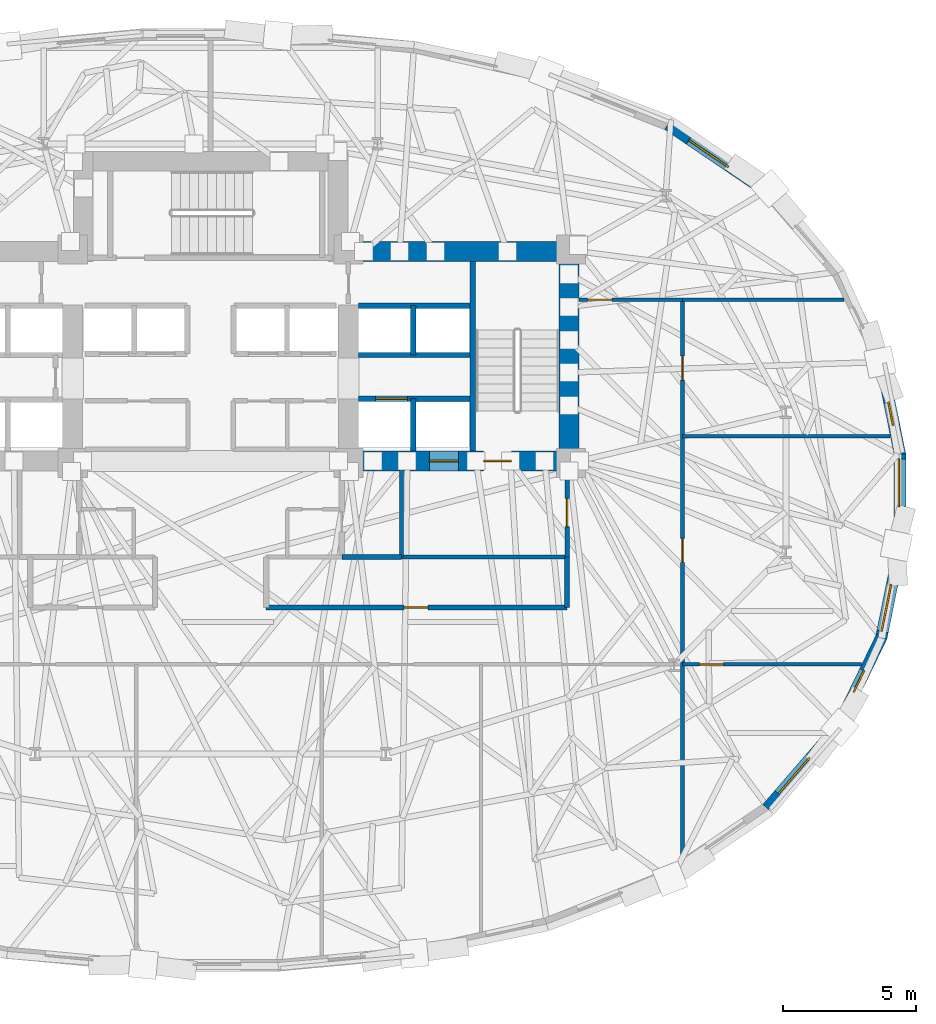
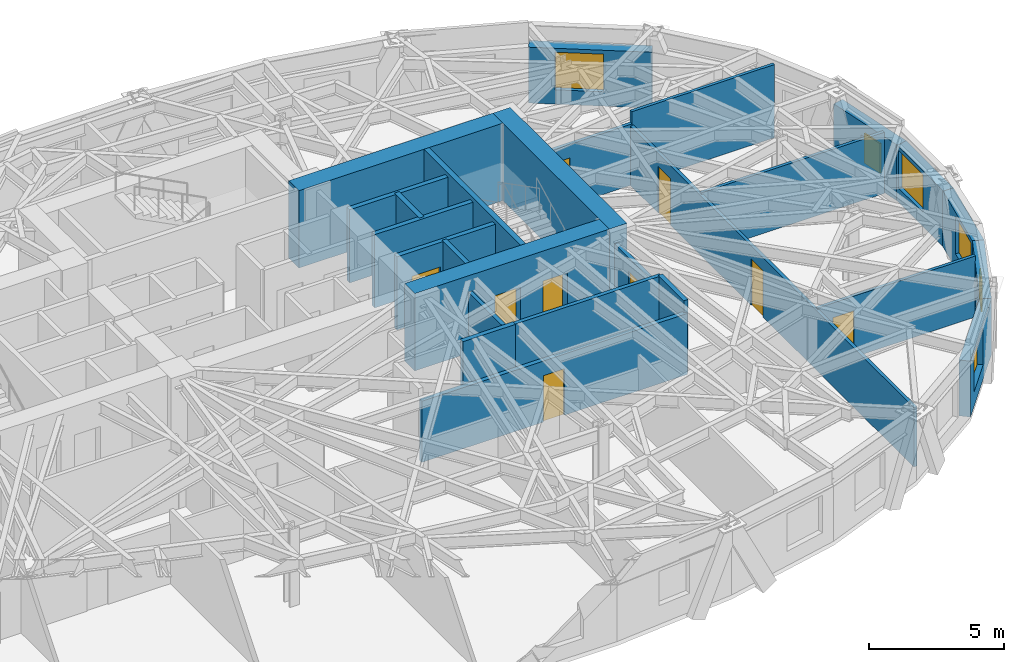
# One storey, part 9 of 14: 26 walls, 9 doors, 6 windows, 15 openings.
"""IFC4 building model written with IfcOpenShell, lengths in metres."""

from ifc_helpers import new_model, si_unit, direction, frame, frame_2d, origin, place, context, subcontext, project, spatial, rectangle, extrude, material, layer, layer_set, type_object, element, fill, save


model = new_model("IFC4")

# Units and contexts
model_context = context("Model", 3, precision=1e-05, world=origin(), true_north=direction((0.0, 1.0)))
body_context = subcontext(model_context, "Body", "Model", "MODEL_VIEW")
ifc_project = project(units=[si_unit("LENGTHUNIT", "METRE"), si_unit("AREAUNIT", "SQUARE_METRE"), si_unit("VOLUMEUNIT", "CUBIC_METRE"), si_unit("PLANEANGLEUNIT", "RADIAN"), si_unit("MASSUNIT", "GRAM", prefix="KILO")], contexts=[model_context])

# Site, building, storey
site_placement = place(None, origin())
site = spatial("IfcSite", under=ifc_project, at=site_placement, CompositionType="ELEMENT")
building_placement = place(site_placement, origin())
building = spatial("IfcBuilding", under=site, at=building_placement, Name="Keldmark Tower", CompositionType="ELEMENT")
storey_placement = place(building_placement, frame((0.0, 0.0, 121.10009765625)))
storey = spatial("IfcBuildingStorey", under=building, at=storey_placement, Name="L32", CompositionType="ELEMENT", Elevation=121.10009765625)

# Wall, openings, doors
ifc_material_1 = material(Name="Acoustic Double-Layer Gypsum Corridor Partition", Category="gypsum")
ifc_layer_1 = layer(ifc_material_1, 0.139892578125)
ifc_layer_set_1 = layer_set([ifc_layer_1], Name="Acoustic Double-Layer Gypsum Corridor Partition")
wall_type_1 = type_object("IfcWallType", Name="Acoustic Corridor Partition 140 mm", PredefinedType="PARTITIONING", material=ifc_layer_set_1)
wall_1_placement = place(storey_placement, frame((17.800048828125, -13.509521484375, 0.0), z_axis=(0.0, 0.0, 1.0), x_axis=(0.0, 1.0, 0.0)))
wall_1 = element("IfcWall", 1, at=wall_1_placement, inside=storey, type_object=wall_type_1, Name="L32 Acoustic Corridor Partition 140 mm COR-E", PredefinedType="PARTITIONING", context=body_context, shape_type="SweptSolid", body=[
    extrude(rectangle(XDim=21.0595703125, YDim=0.139892578125, at=frame_2d((10.52978515625, 0.0))), origin(), (0.0, 0.0, 1.0), 2.68798828125),
])
opening_1_placement = place(wall_1_placement, frame((11.159423828125, 0.0, 0.0)))
opening_1 = element("IfcOpeningElement", 2, at=opening_1_placement, cuts=wall_1, Name="Opening D-IN090", PredefinedType="OPENING", context=body_context, shape_type="SweptSolid", body=[
    extrude(rectangle(XDim=0.89990234375, YDim=2.10009765625, at=frame_2d((0.449951171875, 1.050048828125))), frame((0.0, 0.079833984375, 0.0), z_axis=(0.0, -1.0, 0.0), x_axis=(1.0, 0.0, 0.0)), (0.0, 0.0, 1.0), 0.159912109375),
])
opening_2_placement = place(wall_1_placement, frame((18.034423828125, 0.0, 0.0)))
opening_2 = element("IfcOpeningElement", 3, at=opening_2_placement, cuts=wall_1, Name="Opening D-IN090", PredefinedType="OPENING", context=body_context, shape_type="SweptSolid", body=[
    extrude(rectangle(XDim=0.89990234375, YDim=2.10009765625, at=frame_2d((0.449951171875, 1.050048828125))), frame((0.0, 0.079833984375, 0.0), z_axis=(0.0, -1.0, 0.0), x_axis=(1.0, 0.0, 0.0)), (0.0, 0.0, 1.0), 0.159912109375),
])
ifc_material_2 = material(Name="Stained American White Oak Veneer", Category="wood")
door_type_1 = type_object("IfcDoorType", Name="Interior Door 900x2100", OperationType="NOTDEFINED", PredefinedType="DOOR", material=ifc_material_2)
door_1_placement = place(opening_1_placement, origin())
door_1 = element("IfcDoor", 4, at=door_1_placement, inside=storey, type_object=door_type_1, Name="L32 Interior Door 900x2100 D-ER-1-L32", OperationType="SINGLE_SWING_RIGHT", OverallHeight=2.10009765625, OverallWidth=0.89990234375, PredefinedType="DOOR", context=body_context, shape_type="SweptSolid", body=[
    extrude(rectangle(XDim=0.89990234375, YDim=2.10009765625, at=frame_2d((0.449951171875, 1.050048828125))), frame((0.0, 0.02490234375, 0.0), z_axis=(0.0, -1.0, 0.0), x_axis=(1.0, 0.0, 0.0)), (0.0, 0.0, 1.0), 0.050048828125),
])
fill(opening_1, door_1)
door_2_placement = place(opening_2_placement, origin())
door_2 = element("IfcDoor", 5, at=door_2_placement, inside=storey, type_object=door_type_1, Name="L32 Interior Door 900x2100 D-ER-2-L32", OperationType="SINGLE_SWING_LEFT", OverallHeight=2.10009765625, OverallWidth=0.89990234375, PredefinedType="DOOR", context=body_context, shape_type="SweptSolid", body=[
    extrude(rectangle(XDim=0.89990234375, YDim=2.10009765625, at=frame_2d((0.449951171875, 1.050048828125))), frame((0.0, 0.02490234375, 0.0), z_axis=(0.0, -1.0, 0.0), x_axis=(1.0, 0.0, 0.0)), (0.0, 0.0, 1.0), 0.050048828125),
])
fill(opening_2, door_2)

# Wall, opening, door
wall_2_placement = place(storey_placement, frame((13.89990234375, 7.550048828125, 0.0), z_axis=(0.0, 0.0, 1.0), x_axis=(1.0, 0.0, 0.0)))
wall_2 = element("IfcWall", 6, at=wall_2_placement, inside=storey, type_object=wall_type_1, Name="L32 Acoustic Corridor Partition 140 mm COR-EN-CAP", PredefinedType="PARTITIONING", context=body_context, shape_type="SweptSolid", body=[
    extrude(rectangle(XDim=3.900146484375, YDim=0.139892578125, at=frame_2d((1.9501953125, 0.0))), origin(), (0.0, 0.0, 1.0), 2.762939453125),
])
opening_3_placement = place(wall_2_placement, frame((0.320068359375, 0.0, 0.0)))
opening_3 = element("IfcOpeningElement", 7, at=opening_3_placement, cuts=wall_2, Name="Opening D-EX092", PredefinedType="OPENING", context=body_context, shape_type="SweptSolid", body=[
    extrude(rectangle(XDim=0.919921875, YDim=2.14990234375, at=frame_2d((0.4599609375, 1.074951171875))), frame((0.0, 0.079833984375, 0.0), z_axis=(0.0, -1.0, 0.0), x_axis=(1.0, 0.0, 0.0)), (0.0, 0.0, 1.0), 0.159912109375),
])
ifc_material_3 = material(Name="Flush American Ash Executive Office Door", Category="wood")
door_type_2 = type_object("IfcDoorType", Name="Executive Office Door 920x2150", OperationType="NOTDEFINED", PredefinedType="DOOR", material=ifc_material_3)
door_3_placement = place(opening_3_placement, origin())
door_3 = element("IfcDoor", 8, at=door_3_placement, inside=storey, type_object=door_type_2, Name="L32 Executive Office Door 920x2150 D-NRNE-L32", OperationType="SINGLE_SWING_RIGHT", OverallHeight=2.14990234375, OverallWidth=0.919921875, PredefinedType="DOOR", context=body_context, shape_type="SweptSolid", body=[
    extrude(rectangle(XDim=0.919921875, YDim=2.14990234375, at=frame_2d((0.4599609375, 1.074951171875))), frame((0.0, 0.02490234375, 0.0), z_axis=(0.0, -1.0, 0.0), x_axis=(1.0, 0.0, 0.0)), (0.0, 0.0, 1.0), 0.050048828125),
])
fill(opening_3, door_3)

ifc_material_4 = material(Name="Heavy Acoustic Plumbing Chase Gypsum Assembly", Category="gypsum")
ifc_layer_2 = layer(ifc_material_4, 0.18994140625)
ifc_layer_set_2 = layer_set([ifc_layer_2], Name="Heavy Acoustic Plumbing Chase Gypsum Assembly")
wall_type_2 = type_object("IfcWallType", Name="Heavy Wet Wall 190 mm", PredefinedType="PLUMBINGWALL", material=ifc_layer_set_2)
wall_3_placement = place(storey_placement, frame((2.10009765625, -4.050048828125, 0.0), z_axis=(0.0, 0.0, 1.0), x_axis=(1.0, 0.0, 0.0)))
wall_3 = element("IfcWall", 9, at=wall_3_placement, inside=storey, type_object=wall_type_2, Name="L32 Heavy Wet Wall 190 mm SPK-E-S", PredefinedType="PLUMBINGWALL", context=body_context, shape_type="SweptSolid", body=[
    extrude(rectangle(XDim=11.349853515625, YDim=0.18994140625, at=frame_2d((5.6748046875, 0.0))), origin(), (0.0, 0.0, 1.0), 2.762939453125),
])
opening_4_placement = place(wall_3_placement, frame((5.199951171875, 0.0, 0.0)))
opening_4 = element("IfcOpeningElement", 10, at=opening_4_placement, cuts=wall_3, Name="Opening D-IN090", PredefinedType="OPENING", context=body_context, shape_type="SweptSolid", body=[
    extrude(rectangle(XDim=0.89990234375, YDim=2.10009765625, at=frame_2d((0.449951171875, 1.050048828125))), frame((0.0, 0.10498046875, 0.0), z_axis=(0.0, -1.0, 0.0), x_axis=(1.0, 0.0, 0.0)), (0.0, 0.0, 1.0), 0.2099609375),
])
door_4_placement = place(opening_4_placement, origin())
door_4 = element("IfcDoor", 11, at=door_4_placement, inside=storey, type_object=door_type_1, Name="L32 Interior Door 900x2100 D-SPKE1-L32", OperationType="SINGLE_SWING_RIGHT", OverallHeight=2.10009765625, OverallWidth=0.89990234375, PredefinedType="DOOR", context=body_context, shape_type="SweptSolid", body=[
    extrude(rectangle(XDim=0.89990234375, YDim=2.10009765625, at=frame_2d((0.449951171875, 1.050048828125))), frame((0.0, 0.02490234375, 0.0), z_axis=(0.0, -1.0, 0.0), x_axis=(1.0, 0.0, 0.0)), (0.0, 0.0, 1.0), 0.050048828125),
])
fill(opening_4, door_4)

# Walls
wall_4_placement = place(storey_placement, frame((13.449951171875, -4.050048828125, 0.0), z_axis=(0.0, 0.0, 1.0), x_axis=(0.0, 1.0, 0.0)))
element("IfcWall", 12, at=wall_4_placement, inside=storey, type_object=wall_type_2, Name="L32 Heavy Wet Wall 190 mm SPK-E-E", PredefinedType="PLUMBINGWALL", context=body_context, shape_type="SweptSolid", body=[
    extrude(rectangle(XDim=1.900146484375, YDim=0.18994140625, at=frame_2d((0.9501953125, 0.0))), origin(), (0.0, 0.0, 1.0), 3.309814453125),
])
ifc_material_5 = material(Name="Acoustic Gypsum Board Interior Partition", Category="gypsum")
ifc_layer_3 = layer(ifc_material_5, 0.1298828125)
ifc_layer_set_3 = layer_set([ifc_layer_3], Name="Acoustic Gypsum Board Interior Partition")
wall_type_3 = type_object("IfcWallType", Name="Interior Partition 130 mm", PredefinedType="PARTITIONING", material=ifc_layer_set_3)
wall_5_placement = place(storey_placement, frame((17.800048828125, 7.550048828125, 0.0), z_axis=(0.0, 0.0, 1.0), x_axis=(1.0, 0.0, 0.0)))
element("IfcWall", 13, at=wall_5_placement, inside=storey, type_object=wall_type_3, Name="L32 Interior Partition 130 mm E-CAP-N", PredefinedType="PARTITIONING", context=body_context, shape_type="SweptSolid", body=[
    extrude(rectangle(XDim=6.099853515625, YDim=0.1298828125, at=frame_2d((3.0498046875, 0.0))), origin(), (0.0, 0.0, 1.0), 3.309814453125),
])

# Wall, opening, door
wall_6_placement = place(storey_placement, frame((17.800048828125, -6.199951171875, 0.0), z_axis=(0.0, 0.0, 1.0), x_axis=(1.0, 0.0, 0.0)))
wall_6 = element("IfcWall", 14, at=wall_6_placement, inside=storey, type_object=wall_type_3, Name="L32 Interior Partition 130 mm E-CAP-S", PredefinedType="PARTITIONING", context=body_context, shape_type="SweptSolid", body=[
    extrude(rectangle(XDim=6.75439453125, YDim=0.1298828125, at=frame_2d((3.377197265625, 0.0))), origin(), (0.0, 0.0, 1.0), 2.762939453125),
])
opening_5_placement = place(wall_6_placement, frame((0.64990234375, 0.0, 0.0)))
opening_5 = element("IfcOpeningElement", 15, at=opening_5_placement, cuts=wall_6, Name="Opening D-IN090", PredefinedType="OPENING", context=body_context, shape_type="SweptSolid", body=[
    extrude(rectangle(XDim=0.89990234375, YDim=2.10009765625, at=frame_2d((0.449951171875, 1.050048828125))), frame((0.0, 0.074951171875, 0.0), z_axis=(0.0, -1.0, 0.0), x_axis=(1.0, 0.0, 0.0)), (0.0, 0.0, 1.0), 0.14990234375),
])
door_5_placement = place(opening_5_placement, origin())
door_5 = element("IfcDoor", 16, at=door_5_placement, inside=storey, type_object=door_type_1, Name="L32 Interior Door 900x2100 D-ERSE-L32", OperationType="SINGLE_SWING_RIGHT", OverallHeight=2.10009765625, OverallWidth=0.89990234375, PredefinedType="DOOR", context=body_context, shape_type="SweptSolid", body=[
    extrude(rectangle(XDim=0.89990234375, YDim=2.10009765625, at=frame_2d((0.449951171875, 1.050048828125))), frame((0.0, 0.02490234375, 0.0), z_axis=(0.0, -1.0, 0.0), x_axis=(1.0, 0.0, 0.0)), (0.0, 0.0, 1.0), 0.050048828125),
])
fill(opening_5, door_5)

# Walls
wall_7_placement = place(storey_placement, frame((17.800048828125, 2.39990234375, 0.0), z_axis=(0.0, 0.0, 1.0), x_axis=(1.0, 0.0, 0.0)))
element("IfcWall", 17, at=wall_7_placement, inside=storey, type_object=wall_type_3, Name="L32 Interior Partition 130 mm E-DIV-1", PredefinedType="PARTITIONING", context=body_context, shape_type="SweptSolid", body=[
    extrude(rectangle(XDim=7.834716796875, YDim=0.1298828125, at=frame_2d((3.91748046875, 0.0))), origin(), (0.0, 0.0, 1.0), 2.762939453125),
])
ifc_material_6 = material(Name="Concrete C70/85", Category="concrete")
ifc_layer_4 = layer(ifc_material_6, 0.75)
ifc_layer_set_4 = layer_set([ifc_layer_4], Name="Concrete C70/85")
wall_type_4 = type_object("IfcWallType", Name="Low-Mid Core Shear Wall 750 mm", PredefinedType="SHEAR", material=ifc_layer_set_4)
wall_8_placement = place(storey_placement, frame((13.52490234375, 1.10009765625, 0.0), z_axis=(0.0, 0.0, 1.0), x_axis=(0.0, 1.0, 0.0)))
element("IfcWall", 18, at=wall_8_placement, inside=storey, type_object=wall_type_4, Name="L32 East Core Outer Shear Wall", PredefinedType="SHEAR", context=body_context, shape_type="SweptSolid", body=[
    extrude(rectangle(XDim=8.64990234375, YDim=0.75, at=frame_2d((4.324951171875, 0.0))), origin(), (0.0, 0.0, 1.0), 3.5),
])
wall_9_placement = place(storey_placement, frame((4.425048828125, 9.375, 0.0), z_axis=(0.0, 0.0, 1.0), x_axis=(1.0, 0.0, 0.0)))
element("IfcWall", 19, at=wall_9_placement, inside=storey, type_object=wall_type_4, Name="L32 East Core North Shear Wall", PredefinedType="SHEAR", context=body_context, shape_type="SweptSolid", body=[
    extrude(rectangle(XDim=9.474853515625, YDim=0.75, at=frame_2d((4.7373046875, 0.0))), origin(), (0.0, 0.0, 1.0), 3.5),
])

# Wall, openings, doors
wall_10_placement = place(storey_placement, frame((13.89990234375, 1.47509765625, 0.0), z_axis=(0.0, 0.0, 1.0), x_axis=(-1.0, 0.0, 0.0)))
wall_10 = element("IfcWall", 20, at=wall_10_placement, inside=storey, type_object=wall_type_4, Name="L32 East Core South Shear Wall", PredefinedType="SHEAR", context=body_context, shape_type="SweptSolid", body=[
    extrude(rectangle(XDim=9.074951171875, YDim=0.75, at=frame_2d((4.53759765625, 0.0))), origin(), (0.0, 0.0, 1.0), 3.5),
])
opening_6_placement = place(wall_10_placement, frame((2.550048828125, 0.0, 0.0)))
opening_6 = element("IfcOpeningElement", 21, at=opening_6_placement, cuts=wall_10, Name="Opening D-ST105", PredefinedType="OPENING", context=body_context, shape_type="SweptSolid", body=[
    extrude(rectangle(XDim=1.050048828125, YDim=2.14990234375, at=frame_2d((0.52490234375, 1.074951171875))), frame((0.0, 0.385009765625, 0.0), z_axis=(0.0, -1.0, 0.0), x_axis=(1.0, 0.0, 0.0)), (0.0, 0.0, 1.0), 0.77001953125),
])
opening_7_placement = place(wall_10_placement, frame((4.550048828125, 0.0, 0.0)))
opening_7 = element("IfcOpeningElement", 22, at=opening_7_placement, cuts=wall_10, Name="Opening LD-110", PredefinedType="OPENING", context=body_context, shape_type="SweptSolid", body=[
    extrude(rectangle(XDim=1.10009765625, YDim=2.199951171875, at=frame_2d((0.550048828125, 1.10009765625))), frame((0.0, 0.385009765625, 0.0), z_axis=(0.0, -1.0, 0.0), x_axis=(1.0, 0.0, 0.0)), (0.0, 0.0, 1.0), 0.77001953125),
])
ifc_material_7 = material(Name="Brushed Bronze Hoistway Sliding Leaf", Category="metal")
door_type_3 = type_object("IfcDoorType", Name="Lift Landing Sliding Door 1100x2200", OperationType="SLIDING_TO_LEFT", PredefinedType="DOOR", material=ifc_material_7)
door_6_placement = place(opening_7_placement, origin())
door_6 = element("IfcDoor", 23, at=door_6_placement, inside=storey, type_object=door_type_3, Name="L32 Lift Landing Sliding Door 1100x2200 LD-EL-FS2-L32", OperationType="SLIDING_TO_LEFT", OverallHeight=2.199951171875, OverallWidth=1.10009765625, PredefinedType="DOOR", context=body_context, shape_type="SweptSolid", body=[
    extrude(rectangle(XDim=1.10009765625, YDim=2.199951171875, at=frame_2d((0.550048828125, 1.10009765625))), frame((0.0, 0.02490234375, 0.0), z_axis=(0.0, -1.0, 0.0), x_axis=(1.0, 0.0, 0.0)), (0.0, 0.0, 1.0), 0.050048828125),
])
fill(opening_7, door_6)
ifc_material_8 = material(Name="Hollow Metal Fire-Rated Door Assembly", Category="metal")
door_type_4 = type_object("IfcDoorType", Name="Stair Fire Door 1050x2150", OperationType="NOTDEFINED", PredefinedType="DOOR", material=ifc_material_8)
door_7_placement = place(opening_6_placement, origin())
door_7 = element("IfcDoor", 24, at=door_7_placement, inside=storey, type_object=door_type_4, Name="L32 Stair Fire Door 1050x2150 D-ST2-L32", OperationType="SINGLE_SWING_LEFT", OverallHeight=2.14990234375, OverallWidth=1.050048828125, PredefinedType="DOOR", context=body_context, shape_type="SweptSolid", body=[
    extrude(rectangle(XDim=1.050048828125, YDim=2.14990234375, at=frame_2d((0.52490234375, 1.074951171875))), frame((0.0, 0.02490234375, 0.0), z_axis=(0.0, -1.0, 0.0), x_axis=(1.0, 0.0, 0.0)), (0.0, 0.0, 1.0), 0.050048828125),
])
fill(opening_6, door_7)

# Walls
ifc_material_9 = material(Name="Type X Fire-Rated Gypsum Partition Assembly", Category="gypsum")
ifc_layer_5 = layer(ifc_material_9, 0.1650390625)
ifc_layer_set_5 = layer_set([ifc_layer_5], Name="Type X Fire-Rated Gypsum Partition Assembly")
wall_type_5 = type_object("IfcWallType", Name="Rated Partition 165 mm", PredefinedType="PARTITIONING", material=ifc_layer_set_5)
wall_11_placement = place(storey_placement, frame((7.199951171875, -2.14990234375, 0.0), z_axis=(0.0, 0.0, 1.0), x_axis=(1.0, 0.0, 0.0)))
element("IfcWall", 25, at=wall_11_placement, inside=storey, type_object=wall_type_5, Name="L32 Rated Partition 165 mm FSAE-E-S", PredefinedType="PARTITIONING", context=body_context, shape_type="SweptSolid", body=[
    extrude(rectangle(XDim=6.25, YDim=0.1650390625, at=frame_2d((3.125, 0.0))), origin(), (0.0, 0.0, 1.0), 3.309814453125),
])
wall_12_placement = place(storey_placement, frame((7.199951171875, -2.14990234375, 0.0), z_axis=(0.0, 0.0, 1.0), x_axis=(0.0, 1.0, 0.0)))
element("IfcWall", 26, at=wall_12_placement, inside=storey, type_object=wall_type_5, Name="L32 Rated Partition 165 mm FSAE-E-W", PredefinedType="PARTITIONING", context=body_context, shape_type="SweptSolid", body=[
    extrude(rectangle(XDim=3.2998046875, YDim=0.1650390625, at=frame_2d((1.64990234375, 0.0))), origin(), (0.0, 0.0, 1.0), 2.762939453125),
])

# Wall, opening, door
wall_13_placement = place(storey_placement, frame((13.449951171875, -2.14990234375, 0.0), z_axis=(0.0, 0.0, 1.0), x_axis=(0.0, 1.0, 0.0)))
wall_13 = element("IfcWall", 27, at=wall_13_placement, inside=storey, type_object=wall_type_5, Name="L32 Rated Partition 165 mm FSAE-E-E", PredefinedType="PARTITIONING", context=body_context, shape_type="SweptSolid", body=[
    extrude(rectangle(XDim=3.2998046875, YDim=0.1650390625, at=frame_2d((1.64990234375, 0.0))), origin(), (0.0, 0.0, 1.0), 2.762939453125),
])
opening_8_placement = place(wall_13_placement, frame((1.14990234375, 0.0, 0.0)))
opening_8 = element("IfcOpeningElement", 28, at=opening_8_placement, cuts=wall_13, Name="Opening D-FL105", PredefinedType="OPENING", context=body_context, shape_type="SweptSolid", body=[
    extrude(rectangle(XDim=1.050048828125, YDim=2.14990234375, at=frame_2d((0.52490234375, 1.074951171875))), frame((0.0, 0.092529296875, 0.0), z_axis=(0.0, -1.0, 0.0), x_axis=(1.0, 0.0, 0.0)), (0.0, 0.0, 1.0), 0.18505859375),
])
ifc_material_10 = material(Name="Fire-Rated Mineral-Core Door and Vision Lite", Category="metal")
door_type_5 = type_object("IfcDoorType", Name="Fire Lobby Door 1050x2150", OperationType="NOTDEFINED", PredefinedType="DOOR", material=ifc_material_10)
door_8_placement = place(opening_8_placement, origin())
door_8 = element("IfcDoor", 29, at=door_8_placement, inside=storey, type_object=door_type_5, Name="L32 Fire Lobby Door 1050x2150 D-FSAEE-OUT-L32", OperationType="SINGLE_SWING_LEFT", OverallHeight=2.14990234375, OverallWidth=1.050048828125, PredefinedType="DOOR", context=body_context, shape_type="SweptSolid", body=[
    extrude(rectangle(XDim=1.050048828125, YDim=2.14990234375, at=frame_2d((0.52490234375, 1.074951171875))), frame((0.0, 0.02490234375, 0.0), z_axis=(0.0, -1.0, 0.0), x_axis=(1.0, 0.0, 0.0)), (0.0, 0.0, 1.0), 0.050048828125),
])
fill(opening_8, door_8)

# Wall
ifc_material_11 = material(Name="Fire-Resistant Type X Gypsum Shaftliner Coreboard", Category="gypsum")
ifc_layer_6 = layer(ifc_material_11, 0.199951171875)
ifc_layer_set_6 = layer_set([ifc_layer_6], Name="Fire-Resistant Type X Gypsum Shaftliner Coreboard")
wall_type_6 = type_object("IfcWallType", Name="Shaft Wall 200 mm", PredefinedType="SOLIDWALL", material=ifc_layer_set_6)
wall_14_placement = place(storey_placement, frame((4.949951171875, -2.14990234375, 0.0), z_axis=(0.0, 0.0, 1.0), x_axis=(1.0, 0.0, 0.0)))
element("IfcWall", 30, at=wall_14_placement, inside=storey, type_object=wall_type_6, Name="L32 Shaft Wall 200 mm RIS-SE-S", PredefinedType="SOLIDWALL", context=body_context, shape_type="SweptSolid", body=[
    extrude(rectangle(XDim=2.25, YDim=0.199951171875, at=frame_2d((1.125, 0.0))), origin(), (0.0, 0.0, 1.0), 3.309814453125),
])

# Wall, opening, door
wall_15_placement = place(storey_placement, frame((5.574951171875, 3.820068359375, 0.0), z_axis=(0.0, 0.0, 1.0), x_axis=(1.0, 0.0, 0.0)))
wall_15 = element("IfcWall", 31, at=wall_15_placement, inside=storey, type_object=wall_type_6, Name="L32 Shaft Wall 200 mm HW-E-S", PredefinedType="SOLIDWALL", context=body_context, shape_type="SweptSolid", body=[
    extrude(rectangle(XDim=4.205078125, YDim=0.199951171875, at=frame_2d((2.1025390625, 0.0))), origin(), (0.0, 0.0, 1.0), 3.309814453125),
])
opening_9_placement = place(wall_15_placement, frame((0.64990234375, 0.0, 0.0)))
opening_9 = element("IfcOpeningElement", 32, at=opening_9_placement, cuts=wall_15, Name="Opening LD-120", PredefinedType="OPENING", context=body_context, shape_type="SweptSolid", body=[
    extrude(rectangle(XDim=1.199951171875, YDim=2.199951171875, at=frame_2d((0.60009765625, 1.10009765625))), frame((0.0, 0.10986328125, 0.0), z_axis=(0.0, -1.0, 0.0), x_axis=(1.0, 0.0, 0.0)), (0.0, 0.0, 1.0), 0.219970703125),
])
ifc_material_12 = material(Name="Heavy-Duty Brushed Metal Hoistway Sliding Leaf", Category="metal")
door_type_6 = type_object("IfcDoorType", Name="Service Lift Sliding Door 1200x2200", OperationType="SLIDING_TO_RIGHT", PredefinedType="DOOR", material=ifc_material_12)
door_9_placement = place(opening_9_placement, origin())
door_9 = element("IfcDoor", 33, at=door_9_placement, inside=storey, type_object=door_type_6, Name="L32 Service Lift Sliding Door 1200x2200 LD-EL-SV1-L32", OperationType="SLIDING_TO_RIGHT", OverallHeight=2.199951171875, OverallWidth=1.199951171875, PredefinedType="DOOR", context=body_context, shape_type="SweptSolid", body=[
    extrude(rectangle(XDim=1.199951171875, YDim=2.199951171875, at=frame_2d((0.60009765625, 1.10009765625))), frame((0.0, 0.02490234375, 0.0), z_axis=(0.0, -1.0, 0.0), x_axis=(1.0, 0.0, 0.0)), (0.0, 0.0, 1.0), 0.050048828125),
])
fill(opening_9, door_9)

# Walls
wall_16_placement = place(storey_placement, frame((7.64990234375, 1.85009765625, 0.0), z_axis=(0.0, 0.0, 1.0), x_axis=(0.0, 1.0, 0.0)))
element("IfcWall", 34, at=wall_16_placement, inside=storey, type_object=wall_type_6, Name="L32 Shaft Wall 200 mm HW-E-M", PredefinedType="SOLIDWALL", context=body_context, shape_type="SweptSolid", body=[
    extrude(rectangle(XDim=1.969970703125, YDim=0.199951171875, at=frame_2d((0.98486328125, 0.0))), origin(), (0.0, 0.0, 1.0), 3.309814453125),
])
for number, where, z_axis, x_axis, name in (
    (35, (5.574951171875, 5.469970703125, 0.0), (0.0, 0.0, 1.0), (1.0, 0.0, 0.0), "L32 Shaft Wall 200 mm HW-E-N"),
    (36, (5.574951171875, 7.330078125, 0.0), (0.0, 0.0, 1.0), (1.0, 0.0, 0.0), "L32 Shaft Wall 200 mm HW-E-TOP"),
):
    element("IfcWall", number, at=place(storey_placement, frame(where, z_axis=z_axis, x_axis=x_axis)), inside=storey, type_object=wall_type_6, Name=name, PredefinedType="SOLIDWALL", context=body_context, shape_type="SweptSolid", body=[
        extrude(rectangle(XDim=4.205078125, YDim=0.199951171875, at=frame_2d((2.1025390625, 0.0))), origin(), (0.0, 0.0, 1.0), 3.309814453125),
    ])
wall_17_placement = place(storey_placement, frame((7.64990234375, 5.469970703125, 0.0), z_axis=(0.0, 0.0, 1.0), x_axis=(0.0, 1.0, 0.0)))
element("IfcWall", 37, at=wall_17_placement, inside=storey, type_object=wall_type_6, Name="L32 Shaft Wall 200 mm HW-E-NM", PredefinedType="SOLIDWALL", context=body_context, shape_type="SweptSolid", body=[
    extrude(rectangle(XDim=1.860107421875, YDim=0.199951171875, at=frame_2d((0.93017578125, 0.0))), origin(), (0.0, 0.0, 1.0), 3.309814453125),
])
ifc_material_13 = material(Name="Concrete C50/60", Category="concrete")
ifc_layer_7 = layer(ifc_material_13, 0.219970703125)
ifc_layer_set_7 = layer_set([ifc_layer_7], Name="Concrete C50/60")
wall_type_7 = type_object("IfcWallType", Name="Stair Core Shear Wall 220 mm", PredefinedType="SHEAR", material=ifc_layer_set_7)
wall_18_placement = place(storey_placement, frame((9.889892578125, 1.85009765625, 0.0), z_axis=(0.0, 0.0, 1.0), x_axis=(0.0, 1.0, 0.0)))
element("IfcWall", 38, at=wall_18_placement, inside=storey, type_object=wall_type_7, Name="L32 East Stair Core Shear Wall", PredefinedType="SHEAR", context=body_context, shape_type="SweptSolid", body=[
    extrude(rectangle(XDim=7.14990234375, YDim=0.219970703125, at=frame_2d((3.574951171875, 0.0))), origin(), (0.0, 0.0, 1.0), 3.5),
])

# Wall, opening, window
ifc_material_14 = material(Name="Ironspot Manganese Brick and Kasota Buff Limestone Spandrel Assembly", Category="masonry")
ifc_layer_8 = layer(ifc_material_14, 0.43994140625)
ifc_layer_set_8 = layer_set([ifc_layer_8], Name="Ironspot Manganese Brick and Kasota Buff Limestone Spandrel Assembly")
wall_type_8 = type_object("IfcWallType", Name="Tower Brick Pier and Spandrel Wall 440 mm", PredefinedType="STANDARD", material=ifc_layer_set_8)
wall_19_placement = place(storey_placement, frame((25.298583984375, 5.20361328125, 0.0), z_axis=(0.0, 0.0, 1.0), x_axis=(0.198813443609, -0.980037353696, 0.0)))
wall_19 = element("IfcWall", 39, at=wall_19_placement, inside=storey, type_object=wall_type_8, Name="L32 Exterior Brick and Spandrel Wall 01", PredefinedType="STANDARD", context=body_context, shape_type="SweptSolid", body=[
    extrude(rectangle(XDim=3.5673828125, YDim=0.43994140625, at=frame_2d((1.78369140625, 0.0))), origin(), (0.0, 0.0, 1.0), 2.52783203125),
])
opening_10_placement = place(wall_19_placement, frame((1.531005859375, 0.0, 0.580078125)))
opening_10 = element("IfcOpeningElement", 40, at=opening_10_placement, cuts=wall_19, Name="Opening W-09", PredefinedType="OPENING", context=body_context, shape_type="SweptSolid", body=[
    extrude(rectangle(XDim=0.89990234375, YDim=1.35009765625, at=frame_2d((0.449951171875, 0.675048828125))), frame((0.0, 0.22998046875, 0.0), z_axis=(0.0, -1.0, 0.0), x_axis=(1.0, 0.0, 0.0)), (0.0, 0.0, 1.0), 0.4599609375),
])
ifc_material_15 = material(Name="Thermally Broken Anodized Aluminum and Triple Low-E Argon Glazing", Category="aluminium")
window_type_1 = type_object("IfcWindowType", Name="Corner Pier Deep-Set Window 900x1350", PartitioningType="SINGLE_PANEL", PredefinedType="WINDOW", material=ifc_material_15)
window_1_placement = place(opening_10_placement, origin())
window_1 = element("IfcWindow", 41, at=window_1_placement, inside=storey, type_object=window_type_1, Name="L32 Deep-Set Window 01", OverallHeight=1.35009765625, OverallWidth=0.89990234375, PartitioningType="SINGLE_PANEL", PredefinedType="WINDOW", context=body_context, shape_type="SweptSolid", body=[
    extrude(rectangle(XDim=0.89990234375, YDim=1.35009765625, at=frame_2d((0.449951171875, 0.675048828125))), frame((0.0, -0.010009765625, 0.0), z_axis=(0.0, -1.0, 0.0), x_axis=(1.0, 0.0, 0.0)), (0.0, 0.0, 1.0), 0.06005859375),
])
fill(opening_10, window_1)

wall_20_placement = place(storey_placement, frame((17.241455078125, 14.16357421875, 0.0), z_axis=(0.0, 0.0, 1.0), x_axis=(0.827707240431, -0.56116015908, 0.0)))
wall_20 = element("IfcWall", 42, at=wall_20_placement, inside=storey, type_object=wall_type_8, Name="L32 Exterior Brick and Spandrel Wall 04", PredefinedType="STANDARD", context=body_context, shape_type="SweptSolid", body=[
    extrude(rectangle(XDim=4.584228515625, YDim=0.43994140625, at=frame_2d((2.2919921875, 0.0))), origin(), (0.0, 0.0, 1.0), 2.52783203125),
])
opening_11_placement = place(wall_20_placement, frame((0.99462890625, 0.0, 0.64990234375)))
opening_11 = element("IfcOpeningElement", 43, at=opening_11_placement, cuts=wall_20, Name="Opening W-02", PredefinedType="OPENING", context=body_context, shape_type="SweptSolid", body=[
    extrude(rectangle(XDim=1.800048828125, YDim=1.699951171875, at=frame_2d((0.89990234375, 0.85009765625))), frame((0.0, 0.22998046875, 0.0), z_axis=(0.0, -1.0, 0.0), x_axis=(1.0, 0.0, 0.0)), (0.0, 0.0, 1.0), 0.4599609375),
])
ifc_material_16 = material(Name="Thermally Broken Anodized Aluminum and Triple Low-E Argon Glazing", Category="aluminium")
window_type_2 = type_object("IfcWindowType", Name="Office Deep-Set Triple Window 1800x1700", PartitioningType="TRIPLE_PANEL_VERTICAL", PredefinedType="WINDOW", material=ifc_material_16)
window_2_placement = place(opening_11_placement, origin())
window_2 = element("IfcWindow", 44, at=window_2_placement, inside=storey, type_object=window_type_2, Name="L32 Deep-Set Window 04", OverallHeight=1.699951171875, OverallWidth=1.800048828125, PartitioningType="SINGLE_PANEL", PredefinedType="WINDOW", context=body_context, shape_type="SweptSolid", body=[
    extrude(rectangle(XDim=1.800048828125, YDim=1.699951171875, at=frame_2d((0.89990234375, 0.85009765625))), frame((0.0, -0.010009765625, 0.0), z_axis=(0.0, -1.0, 0.0), x_axis=(1.0, 0.0, 0.0)), (0.0, 0.0, 1.0), 0.06005859375),
])
fill(opening_11, window_2)

wall_21_placement = place(storey_placement, frame((23.69921875, -8.50439453125, 0.0), z_axis=(0.0, 0.0, 1.0), x_axis=(-0.654644924638, -0.755936520249, 0.0)))
wall_21 = element("IfcWall", 45, at=wall_21_placement, inside=storey, type_object=wall_type_8, Name="L32 Exterior Brick and Spandrel Wall 29", PredefinedType="STANDARD", context=body_context, shape_type="SweptSolid", body=[
    extrude(rectangle(XDim=4.133544921875, YDim=0.43994140625, at=frame_2d((2.06689453125, 0.0))), origin(), (0.0, 0.0, 1.0), 2.52783203125),
])
opening_12_placement = place(wall_21_placement, frame((1.6376953125, 0.0, 0.64990234375)))
opening_12 = element("IfcOpeningElement", 46, at=opening_12_placement, cuts=wall_21, Name="Opening W-02", PredefinedType="OPENING", context=body_context, shape_type="SweptSolid", body=[
    extrude(rectangle(XDim=1.800048828125, YDim=1.699951171875, at=frame_2d((0.89990234375, 0.85009765625))), frame((0.0, 0.22998046875, 0.0), z_axis=(0.0, -1.0, 0.0), x_axis=(1.0, 0.0, 0.0)), (0.0, 0.0, 1.0), 0.4599609375),
])
window_3_placement = place(opening_12_placement, origin())
window_3 = element("IfcWindow", 47, at=window_3_placement, inside=storey, type_object=window_type_2, Name="L32 Deep-Set Window 29", OverallHeight=1.699951171875, OverallWidth=1.800048828125, PartitioningType="SINGLE_PANEL", PredefinedType="WINDOW", context=body_context, shape_type="SweptSolid", body=[
    extrude(rectangle(XDim=1.800048828125, YDim=1.699951171875, at=frame_2d((0.89990234375, 0.85009765625))), frame((0.0, -0.010009765625, 0.0), z_axis=(0.0, -1.0, 0.0), x_axis=(1.0, 0.0, 0.0)), (0.0, 0.0, 1.0), 0.06005859375),
])
fill(opening_12, window_3)

wall_22_placement = place(storey_placement, frame((25.31640625, -5.1513671875, 0.0), z_axis=(0.0, 0.0, 1.0), x_axis=(-0.43625131955, -0.899824864177, 0.0)))
wall_22 = element("IfcWall", 48, at=wall_22_placement, inside=storey, type_object=wall_type_8, Name="L32 Exterior Brick and Spandrel Wall 30", PredefinedType="STANDARD", context=body_context, shape_type="SweptSolid", body=[
    extrude(rectangle(XDim=3.77978515625, YDim=0.43994140625, at=frame_2d((1.889892578125, 0.0))), origin(), (0.0, 0.0, 1.0), 2.52783203125),
])
opening_13_placement = place(wall_22_placement, frame((1.43994140625, 0.0, 0.919921875)))
opening_13 = element("IfcOpeningElement", 49, at=opening_13_placement, cuts=wall_22, Name="Opening W-09", PredefinedType="OPENING", context=body_context, shape_type="SweptSolid", body=[
    extrude(rectangle(XDim=0.89990234375, YDim=1.35009765625, at=frame_2d((0.449951171875, 0.675048828125))), frame((0.0, 0.22998046875, 0.0), z_axis=(0.0, -1.0, 0.0), x_axis=(1.0, 0.0, 0.0)), (0.0, 0.0, 1.0), 0.4599609375),
])
window_4_placement = place(opening_13_placement, origin())
window_4 = element("IfcWindow", 50, at=window_4_placement, inside=storey, type_object=window_type_1, Name="L32 Deep-Set Window 30", OverallHeight=1.35009765625, OverallWidth=0.89990234375, PartitioningType="SINGLE_PANEL", PredefinedType="WINDOW", context=body_context, shape_type="SweptSolid", body=[
    extrude(rectangle(XDim=0.89990234375, YDim=1.35009765625, at=frame_2d((0.449951171875, 0.675048828125))), frame((0.0, -0.010009765625, 0.0), z_axis=(0.0, -1.0, 0.0), x_axis=(1.0, 0.0, 0.0)), (0.0, 0.0, 1.0), 0.06005859375),
])
fill(opening_13, window_4)

wall_23_placement = place(storey_placement, frame((26.0078125, -1.70751953125, 0.0), z_axis=(0.0, 0.0, 1.0), x_axis=(-0.198813443609, -0.980037353696, 0.0)))
wall_23 = element("IfcWall", 51, at=wall_23_placement, inside=storey, type_object=wall_type_8, Name="L32 Exterior Brick and Spandrel Wall 31", PredefinedType="STANDARD", context=body_context, shape_type="SweptSolid", body=[
    extrude(rectangle(XDim=3.5673828125, YDim=0.43994140625, at=frame_2d((1.78369140625, 0.0))), origin(), (0.0, 0.0, 1.0), 2.52783203125),
])
opening_14_placement = place(wall_23_placement, frame((1.5185546875, 0.0, 0.64990234375)))
opening_14 = element("IfcOpeningElement", 52, at=opening_14_placement, cuts=wall_23, Name="Opening W-02", PredefinedType="OPENING", context=body_context, shape_type="SweptSolid", body=[
    extrude(rectangle(XDim=1.800048828125, YDim=1.699951171875, at=frame_2d((0.89990234375, 0.85009765625))), frame((0.0, 0.22998046875, 0.0), z_axis=(0.0, -1.0, 0.0), x_axis=(1.0, 0.0, 0.0)), (0.0, 0.0, 1.0), 0.4599609375),
])
window_5_placement = place(opening_14_placement, origin())
window_5 = element("IfcWindow", 53, at=window_5_placement, inside=storey, type_object=window_type_2, Name="L32 Deep-Set Window 31", OverallHeight=1.699951171875, OverallWidth=1.800048828125, PartitioningType="SINGLE_PANEL", PredefinedType="WINDOW", context=body_context, shape_type="SweptSolid", body=[
    extrude(rectangle(XDim=1.800048828125, YDim=1.699951171875, at=frame_2d((0.89990234375, 0.85009765625))), frame((0.0, -0.010009765625, 0.0), z_axis=(0.0, -1.0, 0.0), x_axis=(1.0, 0.0, 0.0)), (0.0, 0.0, 1.0), 0.06005859375),
])
fill(opening_14, window_5)

wall_24_placement = place(storey_placement, frame((26.00341796875, 1.751220703125, 0.0), z_axis=(0.0, 0.0, 1.0), x_axis=(0.0, -1.0, 0.0)))
wall_24 = element("IfcWall", 54, at=wall_24_placement, inside=storey, type_object=wall_type_8, Name="L32 Exterior Brick and Spandrel Wall 32", PredefinedType="STANDARD", context=body_context, shape_type="SweptSolid", body=[
    extrude(rectangle(XDim=3.50244140625, YDim=0.43994140625, at=frame_2d((1.751220703125, 0.0))), origin(), (0.0, 0.0, 1.0), 2.52783203125),
])
opening_15_placement = place(wall_24_placement, frame((0.199951171875, 0.0, 0.64990234375)))
opening_15 = element("IfcOpeningElement", 55, at=opening_15_placement, cuts=wall_24, Name="Opening W-02", PredefinedType="OPENING", context=body_context, shape_type="SweptSolid", body=[
    extrude(rectangle(XDim=1.800048828125, YDim=1.699951171875, at=frame_2d((0.89990234375, 0.85009765625))), frame((0.0, 0.22998046875, 0.0), z_axis=(0.0, -1.0, 0.0), x_axis=(1.0, 0.0, 0.0)), (0.0, 0.0, 1.0), 0.4599609375),
])
window_6_placement = place(opening_15_placement, origin())
window_6 = element("IfcWindow", 56, at=window_6_placement, inside=storey, type_object=window_type_2, Name="L32 Deep-Set Window 32", OverallHeight=1.699951171875, OverallWidth=1.800048828125, PartitioningType="SINGLE_PANEL", PredefinedType="WINDOW", context=body_context, shape_type="SweptSolid", body=[
    extrude(rectangle(XDim=1.800048828125, YDim=1.699951171875, at=frame_2d((0.89990234375, 0.85009765625))), frame((0.0, -0.010009765625, 0.0), z_axis=(0.0, -1.0, 0.0), x_axis=(1.0, 0.0, 0.0)), (0.0, 0.0, 1.0), 0.06005859375),
])
fill(opening_15, window_6)

save(model, "model.ifc")
